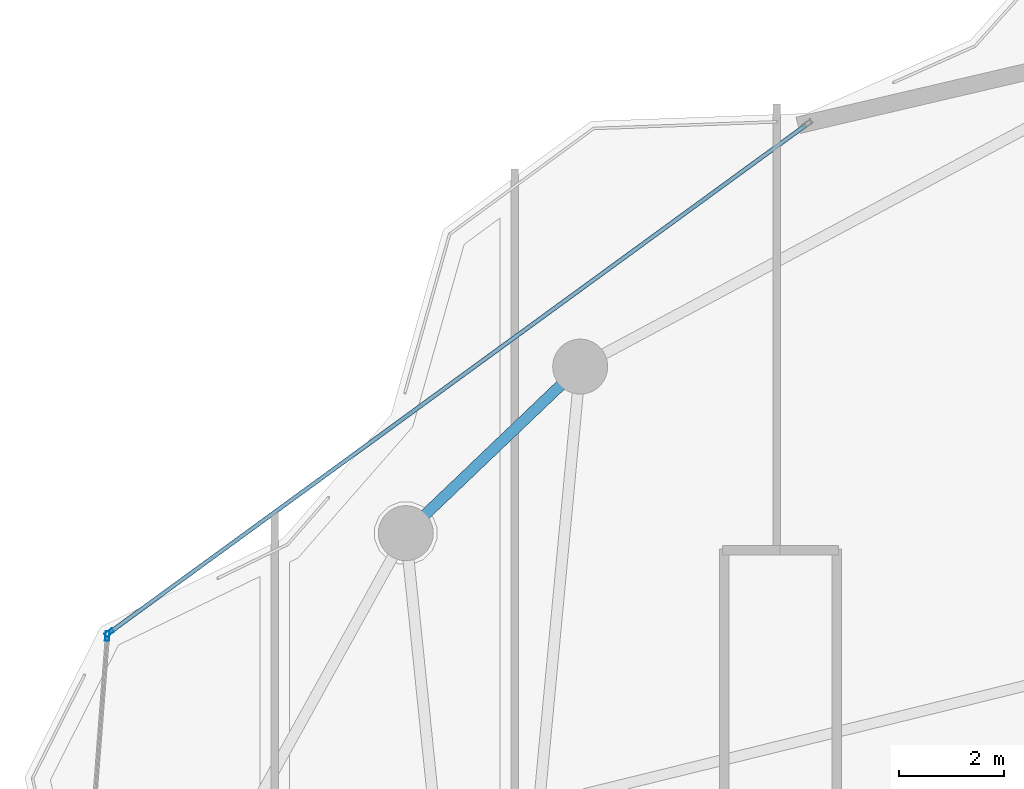
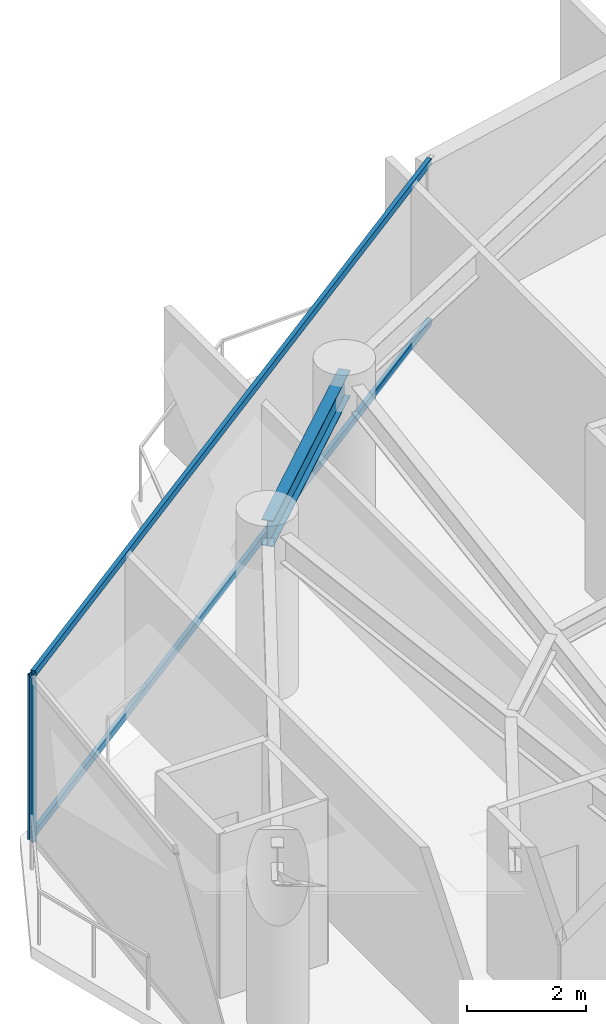
# One storey, part 17 of 31: 4 members, 1 beam, 2 elements without a shape of their own.
"""IFC4 building model written with IfcOpenShell, lengths in metres."""

from ifc_helpers import new_model, si_unit, direction, frame, origin, origin_2d, place, context, subcontext, project, spatial, hollow_rectangle, i_section, extrude, material, layer, layer_set, material_profile, profile_set, type_object, element, aggregate, save


model = new_model("IFC4")

# Units and contexts
model_context = context("Model", 3, precision=1e-05, world=origin(), true_north=direction((0.0, 1.0)))
body_context = subcontext(model_context, "Body", "Model", "MODEL_VIEW")
ifc_project = project(units=[si_unit("LENGTHUNIT", "METRE"), si_unit("AREAUNIT", "SQUARE_METRE"), si_unit("VOLUMEUNIT", "CUBIC_METRE"), si_unit("PLANEANGLEUNIT", "RADIAN"), si_unit("MASSUNIT", "GRAM", prefix="KILO")], contexts=[model_context])

# Site, building, storey
site_placement = place(None, origin())
site = spatial("IfcSite", under=ifc_project, at=site_placement, CompositionType="ELEMENT")
building_placement = place(site_placement, origin())
building = spatial("IfcBuilding", under=site, at=building_placement, Name="Kazevale Care Tower and Concert Hall", CompositionType="ELEMENT")
storey_placement = place(building_placement, frame((0.0, 0.0, 235.199951171875)))
storey = spatial("IfcBuildingStorey", under=building, at=storey_placement, Name="L62", CompositionType="ELEMENT", Elevation=235.199951171875)

# Curtain wall, member
ifc_material_1 = material(Name="Aluminium 6063-T6 and Low-E Glass", Category="aluminium")
ifc_layer = layer(ifc_material_1, 0.179931640625)
ifc_layer_set = layer_set([ifc_layer], Name="Aluminium 6063-T6 and Low-E Glass")
curtain_wall_type = type_object("IfcCurtainWallType", Name="Waist & Upper Residential Curtain Wall CW-4", PredefinedType="NOTDEFINED", material=ifc_layer_set)
curtain_wall_1_placement = place(storey_placement, origin())
curtain_wall_1 = element("IfcCurtainWall", 1, at=curtain_wall_1_placement, inside=storey, type_object=curtain_wall_type, Name="cw:L62:f13", PredefinedType="NOTDEFINED")
ifc_material_2 = material(Name="Aluminium 6063-T6", Category="aluminium")
ifc_material_profile_1 = material_profile(ifc_material_2, hollow_rectangle(XDim=0.080078125, YDim=0.179931640625, WallThickness=0.0048828125, at=origin_2d()), Name="ALU80x180x5")
ifc_profile_set_1 = profile_set([ifc_material_profile_1], Name="Aluminium 6063-T6")
member_type_1 = type_object("IfcMemberType", Name="CW-4 Mullion ALU80x180x5", PredefinedType="MULLION", material=ifc_profile_set_1)
member_1_placement = place(storey_placement, frame((14.722900390625, 49.865234375, 0.0), z_axis=(0.0, 0.0, 1.0), x_axis=(-0.996989311372, 0.077539106325, 0.0)))
member_1 = element("IfcMember", 2, at=member_1_placement, type_object=member_type_1, Name="CW-4 mullion 2", PredefinedType="MULLION", context=body_context, shape_type="SweptSolid", body=[
    extrude(hollow_rectangle(XDim=0.080078125, YDim=0.179931640625, WallThickness=0.0048828125, at=origin_2d()), origin(), (0.0, 0.0, 1.0), 3.360107421875),
])
aggregate(curtain_wall_1, [member_1])

# Curtain wall, members
curtain_wall_2_placement = place(storey_placement, origin())
curtain_wall_2 = element("IfcCurtainWall", 3, at=curtain_wall_2_placement, inside=storey, type_object=curtain_wall_type, Name="cw:L62:f14", PredefinedType="NOTDEFINED")
member_2_placement = place(storey_placement, frame((14.75830078125, 49.928466796875, 0.0), z_axis=(0.0, 0.0, 1.0), x_axis=(-0.588910374145, 0.808198348937, 0.0)))
member_2 = element("IfcMember", 4, at=member_2_placement, type_object=member_type_1, Name="CW-4 mullion 1", PredefinedType="MULLION", context=body_context, shape_type="SweptSolid", body=[
    extrude(hollow_rectangle(XDim=0.080078125, YDim=0.179931640625, WallThickness=0.0048828125, at=origin_2d()), origin(), (0.0, 0.0, 1.0), 3.360107421875),
])
ifc_material_profile_2 = material_profile(ifc_material_2, hollow_rectangle(XDim=0.080078125, YDim=0.139892578125, WallThickness=0.00390625, at=origin_2d()), Name="ALU80x140x4")
ifc_profile_set_2 = profile_set([ifc_material_profile_2], Name="Aluminium 6063-T6")
member_type_2 = type_object("IfcMemberType", Name="CW-4 Transom ALU80x140x4", PredefinedType="USERDEFINED", material=ifc_profile_set_2)
member_3_placement = place(storey_placement, frame((14.790771484375, 49.9521484375, 0.0400390625), z_axis=(0.808197463946, 0.588911588672, 0.0), x_axis=(-0.588911588672, 0.808197463946, 0.0)))
member_3 = element("IfcMember", 5, at=member_3_placement, type_object=member_type_2, Name="CW-4 transom 1.1", ObjectType="TRANSOM", PredefinedType="USERDEFINED", context=body_context, shape_type="SweptSolid", body=[
    extrude(hollow_rectangle(XDim=0.080078125, YDim=0.139892578125, WallThickness=0.00390625, at=origin_2d()), origin(), (0.0, 0.0, 1.0), 16.416259765625),
])
member_4_placement = place(storey_placement, frame((14.790771484375, 49.9521484375, 3.320068359375), z_axis=(0.808197463946, 0.588911588672, 0.0), x_axis=(-0.588911588672, 0.808197463946, 0.0)))
member_4 = element("IfcMember", 6, at=member_4_placement, type_object=member_type_2, Name="CW-4 transom 1.2", ObjectType="TRANSOM", PredefinedType="USERDEFINED", context=body_context, shape_type="SweptSolid", body=[
    extrude(hollow_rectangle(XDim=0.080078125, YDim=0.139892578125, WallThickness=0.00390625, at=origin_2d()), origin(), (0.0, 0.0, 1.0), 16.416259765625),
])
aggregate(curtain_wall_2, [member_2, member_3, member_4])

# Beam
ifc_material_3 = material(Name="Steel ASTM A572 Gr 50", Category="steel")
ifc_material_profile_3 = material_profile(ifc_material_3, i_section(OverallWidth=0.208984375, OverallDepth=0.532958984375, WebThickness=0.01025390625, FlangeThickness=0.015625, at=origin_2d()), Name="W530x92")
ifc_profile_set_3 = profile_set([ifc_material_profile_3], Name="Steel ASTM A572 Gr 50")
beam_type = type_object("IfcBeamType", Name="Upper Ring Beam W530x92", PredefinedType="BEAM", material=ifc_profile_set_3)
beam_placement = place(storey_placement, frame((23.75, 55.010009765625, 3.093505859375), z_axis=(-0.723223118589, -0.690614451585, 0.0), x_axis=(0.690614451585, -0.723223118589, 0.0)))
element("IfcBeam", 7, at=beam_placement, inside=storey, type_object=beam_type, Name="beam:L62:ring:07", PredefinedType="BEAM", context=body_context, shape_type="SweptSolid", body=[
    extrude(i_section(OverallWidth=0.208984375, OverallDepth=0.532958984375, WebThickness=0.01025390625, FlangeThickness=0.015625, at=origin_2d()), origin(), (0.0, 0.0, 1.0), 4.6044921875),
])

save(model, "model.ifc")
